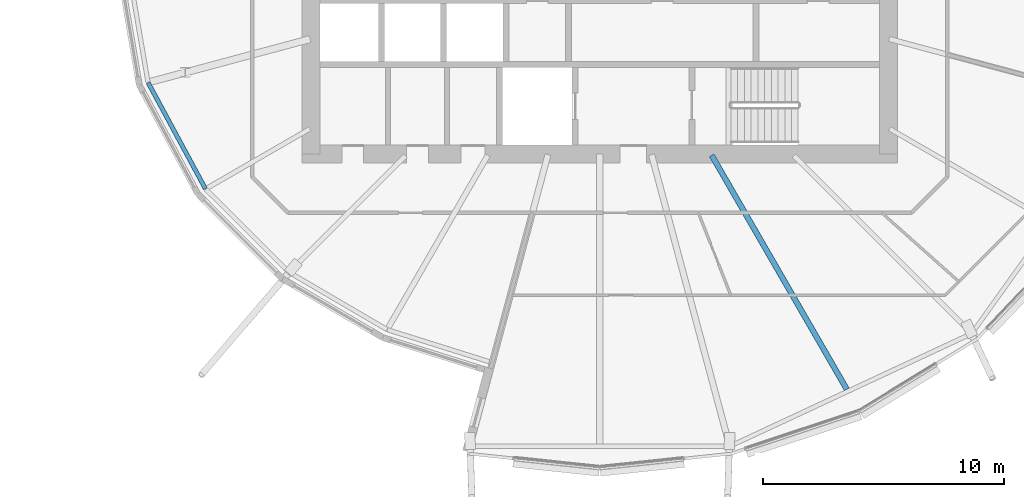
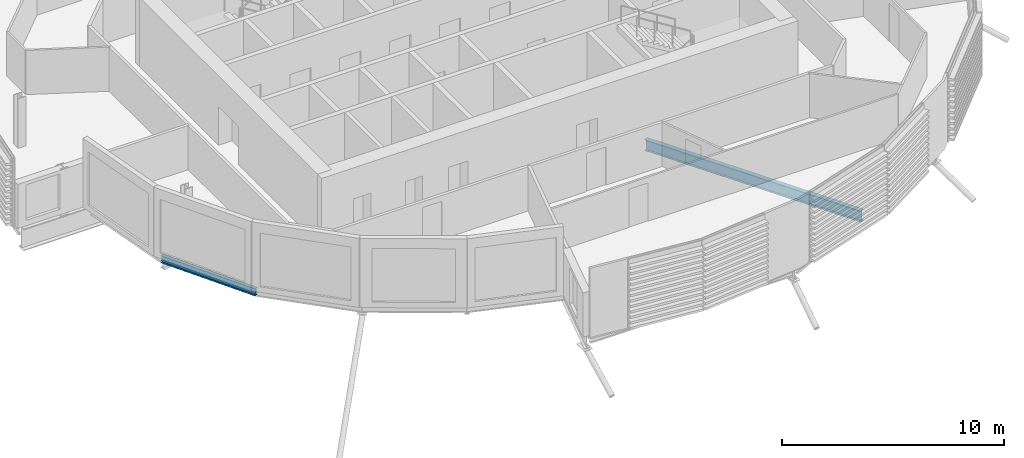
# One storey, part 4 of 39: 2 beams.
"""IFC4 building model written with IfcOpenShell, lengths in metres."""

from ifc_helpers import new_model, si_unit, direction, frame, origin, origin_2d, place, context, subcontext, project, spatial, i_section, extrude, material, material_profile, profile_set, type_object, element, save


model = new_model("IFC4")

# Units and contexts
model_context = context("Model", 3, precision=1e-05, world=origin(), true_north=direction((0.0, 1.0)))
body_context = subcontext(model_context, "Body", "Model", "MODEL_VIEW")
ifc_project = project(units=[si_unit("LENGTHUNIT", "METRE"), si_unit("AREAUNIT", "SQUARE_METRE"), si_unit("VOLUMEUNIT", "CUBIC_METRE"), si_unit("PLANEANGLEUNIT", "RADIAN"), si_unit("MASSUNIT", "GRAM", prefix="KILO")], contexts=[model_context])

# Site, building, storey
site_placement = place(None, origin())
site = spatial("IfcSite", under=ifc_project, at=site_placement, CompositionType="ELEMENT")
building_placement = place(site_placement, origin())
building = spatial("IfcBuilding", under=site, at=building_placement, Name="Rimbun Link Towers", CompositionType="ELEMENT")
storey_placement = place(building_placement, frame((0.0, 0.0, 96.800048828125)))
storey = spatial("IfcBuildingStorey", under=building, at=storey_placement, Name="L23", CompositionType="ELEMENT", Elevation=96.800048828125)

# Beams
ifc_material_1 = material(Name="Steel S355J2", Category="steel")
ifc_material_profile_1 = material_profile(ifc_material_1, i_section(OverallWidth=0.177978515625, OverallDepth=0.406494140625, WebThickness=0.0078125, FlangeThickness=0.0126953125, at=origin_2d()), Name="UB 406x178x60")
ifc_profile_set_1 = profile_set([ifc_material_profile_1], Name="Steel S355J2")
beam_type_1 = type_object("IfcBeamType", Name="UB 406x178x60", PredefinedType="BEAM", material=ifc_profile_set_1)
beam_1_placement = place(storey_placement, frame((-50.52001953125, -5.045166015625, -0.36328125), z_axis=(0.474885218183, -0.880047742768, 0.0), x_axis=(0.880047742768, 0.474885218183, 0.0)))
element("IfcBeam", 1, at=beam_1_placement, inside=storey, type_object=beam_type_1, Name="Edge beam T1 L23 13 recess", PredefinedType="BEAM", context=body_context, shape_type="SweptSolid", body=[
    extrude(i_section(OverallWidth=0.177978515625, OverallDepth=0.406494140625, WebThickness=0.0078125, FlangeThickness=0.0126953125, at=origin_2d()), origin(), (0.0, 0.0, 1.0), 5.003662109375),
])
ifc_material_2 = material(Name="Steel S355J2", Category="steel")
ifc_material_profile_2 = material_profile(ifc_material_2, i_section(OverallWidth=0.2275390625, OverallDepth=0.6025390625, WebThickness=0.010498046875, FlangeThickness=0.014892578125, at=origin_2d()), Name="UB 610x229x101")
ifc_profile_set_2 = profile_set([ifc_material_profile_2], Name="Steel S355J2")
beam_type_2 = type_object("IfcBeamType", Name="UB 610x229x101", PredefinedType="BEAM", material=ifc_profile_set_2)
beam_2_placement = place(storey_placement, frame((-27.097900390625, -8.057861328125, -0.46142578125), z_axis=(0.50001148964, -0.866018770136, 0.0), x_axis=(0.866018770136, 0.50001148964, 0.0)))
element("IfcBeam", 2, at=beam_2_placement, inside=storey, type_object=beam_type_2, Name="Radial beam T1 L23 20", PredefinedType="BEAM", context=body_context, shape_type="SweptSolid", body=[
    extrude(i_section(OverallWidth=0.2275390625, OverallDepth=0.6025390625, WebThickness=0.010498046875, FlangeThickness=0.014892578125, at=origin_2d()), origin(), (0.0, 0.0, 1.0), 11.235595703125),
])

save(model, "model.ifc")
